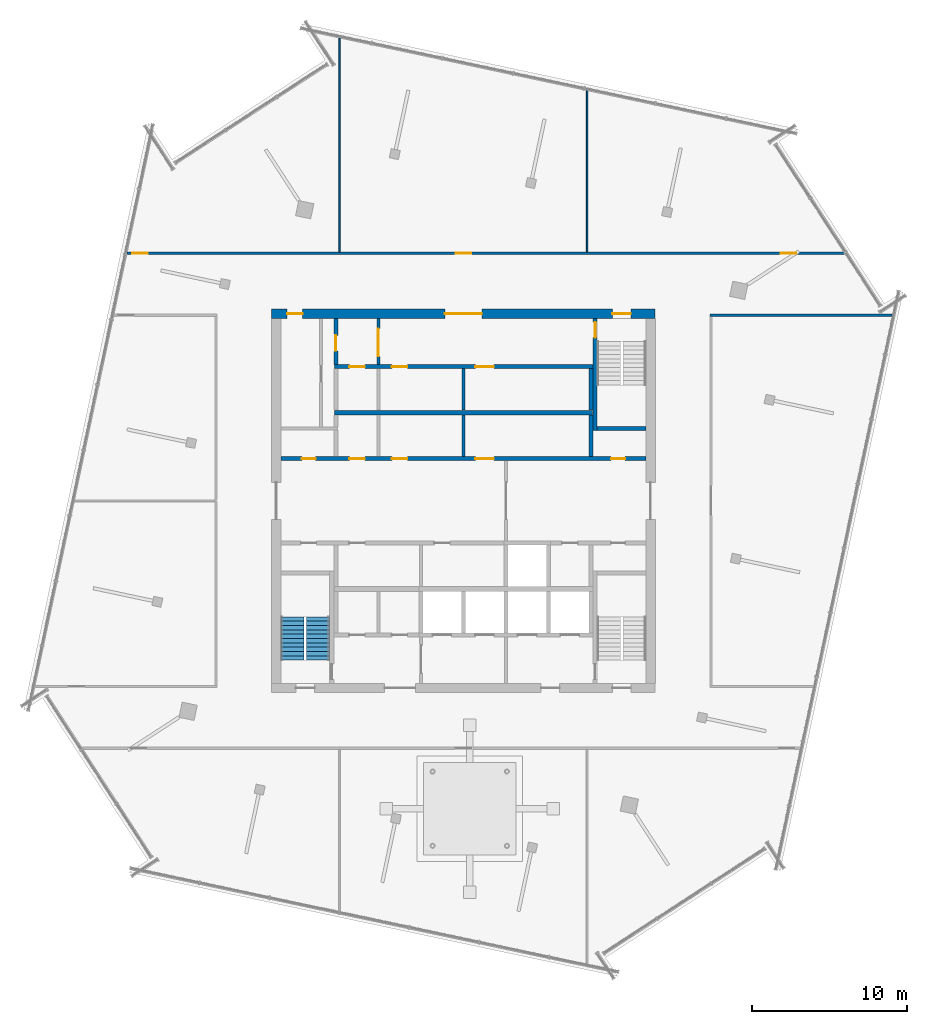
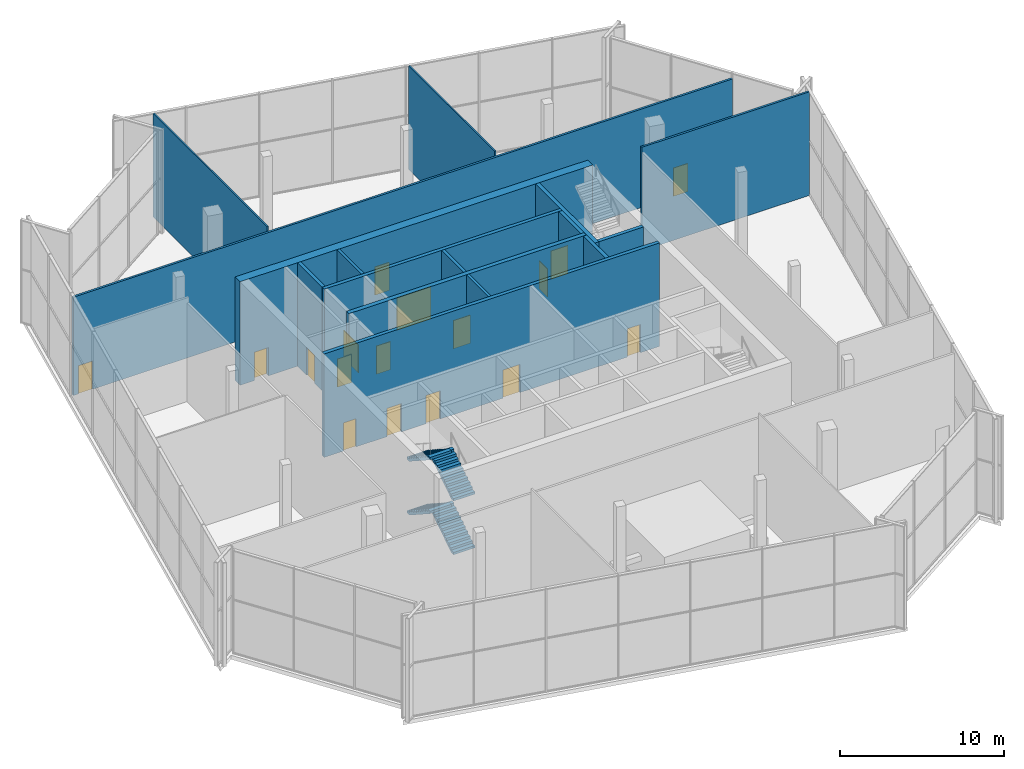
# One storey, part 11 of 14: 17 doors, 16 walls, 4 stair flights, 17 openings, 1 element without a shape of its own.
"""IFC4 building model written with IfcOpenShell, lengths in metres."""

from ifc_helpers import new_model, si_unit, direction, frame, frame_2d, origin, place, context, subcontext, project, spatial, polyline, rectangle, outline, extrude, material, layer, layer_set, type_object, element, fill, aggregate, save


model = new_model("IFC4")

# Units and contexts
model_context = context("Model", 3, precision=1e-05, world=origin(), true_north=direction((0.0, 1.0)))
body_context = subcontext(model_context, "Body", "Model", "MODEL_VIEW")
ifc_project = project(units=[si_unit("LENGTHUNIT", "METRE"), si_unit("AREAUNIT", "SQUARE_METRE"), si_unit("VOLUMEUNIT", "CUBIC_METRE"), si_unit("PLANEANGLEUNIT", "RADIAN"), si_unit("MASSUNIT", "GRAM", prefix="KILO")], contexts=[model_context])

# Site, building, storey
site_placement = place(None, origin())
site = spatial("IfcSite", under=ifc_project, at=site_placement, CompositionType="ELEMENT")
building_placement = place(site_placement, origin())
building = spatial("IfcBuilding", under=site, at=building_placement, Name="Dilmun Exchange Tower", CompositionType="ELEMENT")
storey_placement = place(building_placement, frame((0.0, 0.0, 350.10009765625)))
storey = spatial("IfcBuildingStorey", under=building, at=storey_placement, Name="Crown L83", CompositionType="ELEMENT", Elevation=350.10009765625)

# Walls
ifc_material_1 = material(Name="Concrete C40/50", Category="concrete")
ifc_layer_1 = layer(ifc_material_1, 0.199951171875)
ifc_layer_set_1 = layer_set([ifc_layer_1], Name="Concrete C40/50")
wall_type_1 = type_object("IfcWallType", Name="Core partition wall 200", PredefinedType="PARTITIONING", material=ifc_layer_set_1)
for number, where, z_axis, x_axis, name in (
    (1, (0.0, 2.85498046875, 0.0), (0.0, 0.0, 1.0), (0.0, 1.0, 0.0), "Crown L83 core partition wall 16"),
    (2, (0.0, 5.85498046875, 0.0), (0.0, 0.0, 1.0), (0.0, 1.0, 0.0), "Crown L83 core partition wall 24"),
):
    element("IfcWall", number, at=place(storey_placement, frame(where, z_axis=z_axis, x_axis=x_axis)), inside=storey, type_object=wall_type_1, Name=name, PredefinedType="PARTITIONING", context=body_context, shape_type="SweptSolid", body=[
        extrude(rectangle(XDim=2.68994140625, YDim=0.199951171875, at=frame_2d((1.344970703125, 0.0))), origin(), (0.0, 0.0, 1.0), 7.699951171875),
    ])

# Wall, opening, door
wall_1_placement = place(storey_placement, frame((-5.5, 8.804931640625, 0.0), z_axis=(0.0, 0.0, 1.0), x_axis=(0.0, 1.0, 0.0)))
wall_1 = element("IfcWall", 3, at=wall_1_placement, inside=storey, type_object=wall_type_1, Name="Crown L83 core partition wall 28", PredefinedType="PARTITIONING", context=body_context, shape_type="SweptSolid", body=[
    extrude(rectangle(XDim=2.989990234375, YDim=0.199951171875, at=frame_2d((1.4951171875, 0.0))), origin(), (0.0, 0.0, 1.0), 7.699951171875),
])
opening_1_placement = place(wall_1_placement, frame((0.532470703125, 0.0, 0.0)))
opening_1 = element("IfcOpeningElement", 4, at=opening_1_placement, cuts=wall_1, Name="Opening CD5", PredefinedType="OPENING", context=body_context, shape_type="SweptSolid", body=[
    extrude(rectangle(XDim=1.800048828125, YDim=2.10009765625, at=frame_2d((0.89990234375, 1.050048828125))), frame((0.0, 0.10986328125, 0.0), z_axis=(0.0, -1.0, 0.0), x_axis=(1.0, 0.0, 0.0)), (0.0, 0.0, 1.0), 0.219970703125),
])
ifc_material_2 = material(Name="Fire-rated steel door set", Category="steel")
door_type_1 = type_object("IfcDoorType", Name="Stair exit door 1800x2100", OperationType="SINGLE_SWING_LEFT", PredefinedType="DOOR", material=ifc_material_2)
door_1_placement = place(opening_1_placement, origin())
door_1 = element("IfcDoor", 5, at=door_1_placement, inside=storey, type_object=door_type_1, Name="Crown L83 door Core corridor east", OperationType="SINGLE_SWING_LEFT", OverallHeight=2.10009765625, OverallWidth=1.800048828125, PredefinedType="DOOR", context=body_context, shape_type="SweptSolid", body=[
    extrude(rectangle(XDim=1.800048828125, YDim=2.10009765625, at=frame_2d((0.89990234375, 1.050048828125))), frame((0.0, 0.02490234375, 0.0), z_axis=(0.0, -1.0, 0.0), x_axis=(1.0, 0.0, 0.0)), (0.0, 0.0, 1.0), 0.050048828125),
])
fill(opening_1, door_1)

# Wall, openings, doors
ifc_layer_2 = layer(ifc_material_1, 0.25)
ifc_layer_set_2 = layer_set([ifc_layer_2], Name="Concrete C40/50")
wall_type_2 = type_object("IfcWallType", Name="Core partition wall 250", PredefinedType="PARTITIONING", material=ifc_layer_set_2)
wall_2_placement = place(storey_placement, frame((-11.794921875, 2.72509765625, 0.0), z_axis=(0.0, 0.0, 1.0), x_axis=(1.0, 0.0, 0.0)))
wall_2 = element("IfcWall", 6, at=wall_2_placement, inside=storey, type_object=wall_type_2, Name="Crown L83 core partition wall 13", PredefinedType="PARTITIONING", context=body_context, shape_type="SweptSolid", body=[
    extrude(rectangle(XDim=23.58984375, YDim=0.25, at=frame_2d((11.794921875, 0.0))), origin(), (0.0, 0.0, 1.0), 7.699951171875),
])
opening_2_placement = place(wall_2_placement, frame((21.344970703125, 0.0, 0.0)))
opening_2 = element("IfcOpeningElement", 7, at=opening_2_placement, cuts=wall_2, Name="Opening CD6", PredefinedType="OPENING", context=body_context, shape_type="SweptSolid", body=[
    extrude(rectangle(XDim=0.89990234375, YDim=2.10009765625, at=frame_2d((0.449951171875, 1.050048828125))), frame((0.0, 0.135009765625, 0.0), z_axis=(0.0, -1.0, 0.0), x_axis=(1.0, 0.0, 0.0)), (0.0, 0.0, 1.0), 0.27001953125),
])
opening_3_placement = place(wall_2_placement, frame((1.344970703125, 0.0, 0.0)))
opening_3 = element("IfcOpeningElement", 8, at=opening_3_placement, cuts=wall_2, Name="Opening CD6", PredefinedType="OPENING", context=body_context, shape_type="SweptSolid", body=[
    extrude(rectangle(XDim=0.89990234375, YDim=2.10009765625, at=frame_2d((0.449951171875, 1.050048828125))), frame((0.0, 0.135009765625, 0.0), z_axis=(0.0, -1.0, 0.0), x_axis=(1.0, 0.0, 0.0)), (0.0, 0.0, 1.0), 0.27001953125),
])
opening_4_placement = place(wall_2_placement, frame((4.419921875, 0.0, 0.0)))
opening_4 = element("IfcOpeningElement", 9, at=opening_4_placement, cuts=wall_2, Name="Opening CD4", PredefinedType="OPENING", context=body_context, shape_type="SweptSolid", body=[
    extrude(rectangle(XDim=1.0, YDim=2.10009765625, at=frame_2d((0.5, 1.050048828125))), frame((0.0, 0.135009765625, 0.0), z_axis=(0.0, -1.0, 0.0), x_axis=(1.0, 0.0, 0.0)), (0.0, 0.0, 1.0), 0.27001953125),
])
opening_5_placement = place(wall_2_placement, frame((7.169921875, 0.0, 0.0)))
opening_5 = element("IfcOpeningElement", 10, at=opening_5_placement, cuts=wall_2, Name="Opening CD4", PredefinedType="OPENING", context=body_context, shape_type="SweptSolid", body=[
    extrude(rectangle(XDim=1.0, YDim=2.10009765625, at=frame_2d((0.5, 1.050048828125))), frame((0.0, 0.135009765625, 0.0), z_axis=(0.0, -1.0, 0.0), x_axis=(1.0, 0.0, 0.0)), (0.0, 0.0, 1.0), 0.27001953125),
])
opening_6_placement = place(wall_2_placement, frame((12.570068359375, 0.0, 0.0)))
opening_6 = element("IfcOpeningElement", 11, at=opening_6_placement, cuts=wall_2, Name="Opening CD3", PredefinedType="OPENING", context=body_context, shape_type="SweptSolid", body=[
    extrude(rectangle(XDim=1.199951171875, YDim=2.10009765625, at=frame_2d((0.60009765625, 1.050048828125))), frame((0.0, 0.135009765625, 0.0), z_axis=(0.0, -1.0, 0.0), x_axis=(1.0, 0.0, 0.0)), (0.0, 0.0, 1.0), 0.27001953125),
])
door_type_2 = type_object("IfcDoorType", Name="Core room door 1000x2100", OperationType="SINGLE_SWING_LEFT", PredefinedType="DOOR", material=ifc_material_2)
door_2_placement = place(opening_4_placement, origin())
door_2 = element("IfcDoor", 12, at=door_2_placement, inside=storey, type_object=door_type_2, Name="Crown L83 door Comms room", OperationType="SINGLE_SWING_RIGHT", OverallHeight=2.10009765625, OverallWidth=1.0, PredefinedType="DOOR", context=body_context, shape_type="SweptSolid", body=[
    extrude(rectangle(XDim=1.0, YDim=2.10009765625, at=frame_2d((0.5, 1.050048828125))), frame((0.0, 0.02490234375, 0.0), z_axis=(0.0, -1.0, 0.0), x_axis=(1.0, 0.0, 0.0)), (0.0, 0.0, 1.0), 0.050048828125),
])
fill(opening_4, door_2)
door_3_placement = place(opening_5_placement, origin())
door_3 = element("IfcDoor", 13, at=door_3_placement, inside=storey, type_object=door_type_2, Name="Crown L83 door Tenant services room", OperationType="SINGLE_SWING_RIGHT", OverallHeight=2.10009765625, OverallWidth=1.0, PredefinedType="DOOR", context=body_context, shape_type="SweptSolid", body=[
    extrude(rectangle(XDim=1.0, YDim=2.10009765625, at=frame_2d((0.5, 1.050048828125))), frame((0.0, 0.02490234375, 0.0), z_axis=(0.0, -1.0, 0.0), x_axis=(1.0, 0.0, 0.0)), (0.0, 0.0, 1.0), 0.050048828125),
])
fill(opening_5, door_3)
door_type_3 = type_object("IfcDoorType", Name="Core room door 900x2100", OperationType="SINGLE_SWING_LEFT", PredefinedType="DOOR", material=ifc_material_2)
door_4_placement = place(opening_2_placement, origin())
door_4 = element("IfcDoor", 14, at=door_4_placement, inside=storey, type_object=door_type_3, Name="Crown L83 door Electrical riser", OperationType="SINGLE_SWING_RIGHT", OverallHeight=2.10009765625, OverallWidth=0.89990234375, PredefinedType="DOOR", context=body_context, shape_type="SweptSolid", body=[
    extrude(rectangle(XDim=0.89990234375, YDim=2.10009765625, at=frame_2d((0.449951171875, 1.050048828125))), frame((0.0, 0.02490234375, 0.0), z_axis=(0.0, -1.0, 0.0), x_axis=(1.0, 0.0, 0.0)), (0.0, 0.0, 1.0), 0.050048828125),
])
fill(opening_2, door_4)
door_5_placement = place(opening_3_placement, origin())
door_5 = element("IfcDoor", 15, at=door_5_placement, inside=storey, type_object=door_type_3, Name="Crown L83 door Plumbing riser", OperationType="SINGLE_SWING_RIGHT", OverallHeight=2.10009765625, OverallWidth=0.89990234375, PredefinedType="DOOR", context=body_context, shape_type="SweptSolid", body=[
    extrude(rectangle(XDim=0.89990234375, YDim=2.10009765625, at=frame_2d((0.449951171875, 1.050048828125))), frame((0.0, 0.02490234375, 0.0), z_axis=(0.0, -1.0, 0.0), x_axis=(1.0, 0.0, 0.0)), (0.0, 0.0, 1.0), 0.050048828125),
])
fill(opening_3, door_5)
door_type_4 = type_object("IfcDoorType", Name="Stair exit door 1200x2100", OperationType="SINGLE_SWING_LEFT", PredefinedType="DOOR", material=ifc_material_2)
door_6_placement = place(opening_6_placement, origin())
door_6 = element("IfcDoor", 16, at=door_6_placement, inside=storey, type_object=door_type_4, Name="Crown L83 door Tenant amenity store", OperationType="SINGLE_SWING_LEFT", OverallHeight=2.10009765625, OverallWidth=1.199951171875, PredefinedType="DOOR", context=body_context, shape_type="SweptSolid", body=[
    extrude(rectangle(XDim=1.199951171875, YDim=2.10009765625, at=frame_2d((0.60009765625, 1.050048828125))), frame((0.0, 0.02490234375, 0.0), z_axis=(0.0, -1.0, 0.0), x_axis=(1.0, 0.0, 0.0)), (0.0, 0.0, 1.0), 0.050048828125),
])
fill(opening_6, door_6)

# Walls
for number, where, z_axis, x_axis, name in (
    (17, (8.25, 2.85498046875, 0.0), (0.0, 0.0, 1.0), (0.0, 1.0, 0.0), "Crown L83 core partition wall 17"),
    (18, (8.25, 5.85498046875, 0.0), (0.0, 0.0, 1.0), (0.0, 1.0, 0.0), "Crown L83 core partition wall 25"),
):
    element("IfcWall", number, at=place(storey_placement, frame(where, z_axis=z_axis, x_axis=x_axis)), inside=storey, type_object=wall_type_2, Name=name, PredefinedType="PARTITIONING", context=body_context, shape_type="SweptSolid", body=[
        extrude(rectangle(XDim=2.68994140625, YDim=0.25, at=frame_2d((1.344970703125, 0.0))), origin(), (0.0, 0.0, 1.0), 7.699951171875),
    ])

# Wall, openings, doors
wall_3_placement = place(storey_placement, frame((-8.35009765625, 8.675048828125, 0.0), z_axis=(0.0, 0.0, 1.0), x_axis=(1.0, 0.0, 0.0)))
wall_3 = element("IfcWall", 19, at=wall_3_placement, inside=storey, type_object=wall_type_2, Name="Crown L83 core partition wall 26", PredefinedType="PARTITIONING", context=body_context, shape_type="SweptSolid", body=[
    extrude(rectangle(XDim=16.72021484375, YDim=0.25, at=frame_2d((8.360107421875, 0.0))), origin(), (0.0, 0.0, 1.0), 7.699951171875),
])
opening_7_placement = place(wall_3_placement, frame((0.97509765625, 0.0, 0.0)))
opening_7 = element("IfcOpeningElement", 20, at=opening_7_placement, cuts=wall_3, Name="Opening CD4", PredefinedType="OPENING", context=body_context, shape_type="SweptSolid", body=[
    extrude(rectangle(XDim=1.0, YDim=2.10009765625, at=frame_2d((0.5, 1.050048828125))), frame((0.0, 0.135009765625, 0.0), z_axis=(0.0, -1.0, 0.0), x_axis=(1.0, 0.0, 0.0)), (0.0, 0.0, 1.0), 0.27001953125),
])
opening_8_placement = place(wall_3_placement, frame((3.72509765625, 0.0, 0.0)))
opening_8 = element("IfcOpeningElement", 21, at=opening_8_placement, cuts=wall_3, Name="Opening CD4", PredefinedType="OPENING", context=body_context, shape_type="SweptSolid", body=[
    extrude(rectangle(XDim=1.0, YDim=2.10009765625, at=frame_2d((0.5, 1.050048828125))), frame((0.0, 0.135009765625, 0.0), z_axis=(0.0, -1.0, 0.0), x_axis=(1.0, 0.0, 0.0)), (0.0, 0.0, 1.0), 0.27001953125),
])
opening_9_placement = place(wall_3_placement, frame((9.125, 0.0, 0.0)))
opening_9 = element("IfcOpeningElement", 22, at=opening_9_placement, cuts=wall_3, Name="Opening CD3", PredefinedType="OPENING", context=body_context, shape_type="SweptSolid", body=[
    extrude(rectangle(XDim=1.199951171875, YDim=2.10009765625, at=frame_2d((0.60009765625, 1.050048828125))), frame((0.0, 0.135009765625, 0.0), z_axis=(0.0, -1.0, 0.0), x_axis=(1.0, 0.0, 0.0)), (0.0, 0.0, 1.0), 0.27001953125),
])
door_7_placement = place(opening_7_placement, origin())
door_7 = element("IfcDoor", 23, at=door_7_placement, inside=storey, type_object=door_type_2, Name="Crown L83 door Tenant store", OperationType="SINGLE_SWING_RIGHT", OverallHeight=2.10009765625, OverallWidth=1.0, PredefinedType="DOOR", context=body_context, shape_type="SweptSolid", body=[
    extrude(rectangle(XDim=1.0, YDim=2.10009765625, at=frame_2d((0.5, 1.050048828125))), frame((0.0, 0.02490234375, 0.0), z_axis=(0.0, -1.0, 0.0), x_axis=(1.0, 0.0, 0.0)), (0.0, 0.0, 1.0), 0.050048828125),
])
fill(opening_7, door_7)
door_8_placement = place(opening_8_placement, origin())
door_8 = element("IfcDoor", 24, at=door_8_placement, inside=storey, type_object=door_type_2, Name="Crown L83 door Archive store", OperationType="SINGLE_SWING_RIGHT", OverallHeight=2.10009765625, OverallWidth=1.0, PredefinedType="DOOR", context=body_context, shape_type="SweptSolid", body=[
    extrude(rectangle(XDim=1.0, YDim=2.10009765625, at=frame_2d((0.5, 1.050048828125))), frame((0.0, 0.02490234375, 0.0), z_axis=(0.0, -1.0, 0.0), x_axis=(1.0, 0.0, 0.0)), (0.0, 0.0, 1.0), 0.050048828125),
])
fill(opening_8, door_8)
door_9_placement = place(opening_9_placement, origin())
door_9 = element("IfcDoor", 25, at=door_9_placement, inside=storey, type_object=door_type_4, Name="Crown L83 door Facilities workshop", OperationType="SINGLE_SWING_LEFT", OverallHeight=2.10009765625, OverallWidth=1.199951171875, PredefinedType="DOOR", context=body_context, shape_type="SweptSolid", body=[
    extrude(rectangle(XDim=1.199951171875, YDim=2.10009765625, at=frame_2d((0.60009765625, 1.050048828125))), frame((0.0, 0.02490234375, 0.0), z_axis=(0.0, -1.0, 0.0), x_axis=(1.0, 0.0, 0.0)), (0.0, 0.0, 1.0), 0.050048828125),
])
fill(opening_9, door_9)

# Wall, opening, door
wall_4_placement = place(storey_placement, frame((-8.25, 8.804931640625, 0.0), z_axis=(0.0, 0.0, 1.0), x_axis=(0.0, 1.0, 0.0)))
wall_4 = element("IfcWall", 26, at=wall_4_placement, inside=storey, type_object=wall_type_2, Name="Crown L83 core partition wall 27", PredefinedType="PARTITIONING", context=body_context, shape_type="SweptSolid", body=[
    extrude(rectangle(XDim=2.989990234375, YDim=0.25, at=frame_2d((1.4951171875, 0.0))), origin(), (0.0, 0.0, 1.0), 7.699951171875),
])
opening_10_placement = place(wall_4_placement, frame((0.89501953125, 0.0, 0.0)))
opening_10 = element("IfcOpeningElement", 27, at=opening_10_placement, cuts=wall_4, Name="Opening CD4", PredefinedType="OPENING", context=body_context, shape_type="SweptSolid", body=[
    extrude(rectangle(XDim=1.0, YDim=2.10009765625, at=frame_2d((0.5, 1.050048828125))), frame((0.0, 0.135009765625, 0.0), z_axis=(0.0, -1.0, 0.0), x_axis=(1.0, 0.0, 0.0)), (0.0, 0.0, 1.0), 0.27001953125),
])
door_10_placement = place(opening_10_placement, origin())
door_10 = element("IfcDoor", 28, at=door_10_placement, inside=storey, type_object=door_type_2, Name="Crown L83 door Tenant services room", OperationType="SINGLE_SWING_RIGHT", OverallHeight=2.10009765625, OverallWidth=1.0, PredefinedType="DOOR", context=body_context, shape_type="SweptSolid", body=[
    extrude(rectangle(XDim=1.0, YDim=2.10009765625, at=frame_2d((0.5, 1.050048828125))), frame((0.0, 0.02490234375, 0.0), z_axis=(0.0, -1.0, 0.0), x_axis=(1.0, 0.0, 0.0)), (0.0, 0.0, 1.0), 0.050048828125),
])
fill(opening_10, door_10)

# Wall
ifc_layer_3 = layer(ifc_material_1, 0.300048828125)
ifc_layer_set_3 = layer_set([ifc_layer_3], Name="Concrete C40/50")
wall_type_3 = type_object("IfcWallType", Name="Core partition wall 300", PredefinedType="PARTITIONING", material=ifc_layer_set_3)
wall_5_placement = place(storey_placement, frame((-8.35009765625, 5.699951171875, 0.0), z_axis=(0.0, 0.0, 1.0), x_axis=(1.0, 0.0, 0.0)))
element("IfcWall", 29, at=wall_5_placement, inside=storey, type_object=wall_type_3, Name="Crown L83 core partition wall 21", PredefinedType="PARTITIONING", context=body_context, shape_type="SweptSolid", body=[
    extrude(rectangle(XDim=16.7001953125, YDim=0.300048828125, at=frame_2d((8.35009765625, 0.0))), origin(), (0.0, 0.0, 1.0), 7.699951171875),
])

# Wall, openings, doors
ifc_material_3 = material(Name="Concrete C50/60", Category="concrete")
ifc_layer_4 = layer(ifc_material_3, 0.60009765625)
ifc_layer_set_4 = layer_set([ifc_layer_4], Name="Concrete C50/60")
wall_type_4 = type_object("IfcWallType", Name="Core shear wall 600 Concrete C50/60", PredefinedType="SHEAR", material=ifc_layer_set_4)
wall_6_placement = place(storey_placement, frame((-12.39990234375, 12.10009765625, 0.0), z_axis=(0.0, 0.0, 1.0), x_axis=(1.0, 0.0, 0.0)))
wall_6 = element("IfcWall", 30, at=wall_6_placement, inside=storey, type_object=wall_type_4, Name="Crown L83 core shear wall N", PredefinedType="SHEAR", context=body_context, shape_type="SweptSolid", body=[
    extrude(rectangle(XDim=24.7998046875, YDim=0.60009765625, at=frame_2d((12.39990234375, 0.0))), origin(), (0.0, 0.0, 1.0), 7.699951171875),
])
opening_11_placement = place(wall_6_placement, frame((11.199951171875, 0.0, 0.0)))
opening_11 = element("IfcOpeningElement", 31, at=opening_11_placement, cuts=wall_6, Name="Opening CD1", PredefinedType="OPENING", context=body_context, shape_type="SweptSolid", body=[
    extrude(rectangle(XDim=2.39990234375, YDim=2.39990234375, at=frame_2d((1.199951171875, 1.199951171875))), frame((0.0, 0.31005859375, 0.0), z_axis=(0.0, -1.0, 0.0), x_axis=(1.0, 0.0, 0.0)), (0.0, 0.0, 1.0), 0.6201171875),
])
opening_12_placement = place(wall_6_placement, frame((22.02490234375, 0.0, 0.0)))
opening_12 = element("IfcOpeningElement", 32, at=opening_12_placement, cuts=wall_6, Name="Opening CD3", PredefinedType="OPENING", context=body_context, shape_type="SweptSolid", body=[
    extrude(rectangle(XDim=1.199951171875, YDim=2.10009765625, at=frame_2d((0.60009765625, 1.050048828125))), frame((0.0, 0.31005859375, 0.0), z_axis=(0.0, -1.0, 0.0), x_axis=(1.0, 0.0, 0.0)), (0.0, 0.0, 1.0), 0.6201171875),
])
opening_13_placement = place(wall_6_placement, frame((1.0, 0.0, 0.0)))
opening_13 = element("IfcOpeningElement", 33, at=opening_13_placement, cuts=wall_6, Name="Opening CD4", PredefinedType="OPENING", context=body_context, shape_type="SweptSolid", body=[
    extrude(rectangle(XDim=1.0, YDim=2.10009765625, at=frame_2d((0.5, 1.050048828125))), frame((0.0, 0.31005859375, 0.0), z_axis=(0.0, -1.0, 0.0), x_axis=(1.0, 0.0, 0.0)), (0.0, 0.0, 1.0), 0.6201171875),
])
door_type_5 = type_object("IfcDoorType", Name="Core lobby door 2400x2400", OperationType="DOUBLE_DOOR_DOUBLE_SWING", PredefinedType="DOOR", material=ifc_material_2)
door_11_placement = place(opening_11_placement, origin())
door_11 = element("IfcDoor", 34, at=door_11_placement, inside=storey, type_object=door_type_5, Name="Crown L83 door North lift lobby", OperationType="SINGLE_SWING_LEFT", OverallHeight=2.39990234375, OverallWidth=2.39990234375, PredefinedType="DOOR", context=body_context, shape_type="SweptSolid", body=[
    extrude(rectangle(XDim=2.39990234375, YDim=2.39990234375, at=frame_2d((1.199951171875, 1.199951171875))), frame((0.0, 0.02490234375, 0.0), z_axis=(0.0, -1.0, 0.0), x_axis=(1.0, 0.0, 0.0)), (0.0, 0.0, 1.0), 0.050048828125),
])
fill(opening_11, door_11)
door_12_placement = place(opening_13_placement, origin())
door_12 = element("IfcDoor", 35, at=door_12_placement, inside=storey, type_object=door_type_2, Name="Crown L83 door North-west core rooms", OperationType="SINGLE_SWING_LEFT", OverallHeight=2.10009765625, OverallWidth=1.0, PredefinedType="DOOR", context=body_context, shape_type="SweptSolid", body=[
    extrude(rectangle(XDim=1.0, YDim=2.10009765625, at=frame_2d((0.5, 1.050048828125))), frame((0.0, 0.02490234375, 0.0), z_axis=(0.0, -1.0, 0.0), x_axis=(1.0, 0.0, 0.0)), (0.0, 0.0, 1.0), 0.050048828125),
])
fill(opening_13, door_12)
door_13_placement = place(opening_12_placement, origin())
door_13 = element("IfcDoor", 36, at=door_13_placement, inside=storey, type_object=door_type_4, Name="Crown L83 door Stair ST1", OperationType="SINGLE_SWING_LEFT", OverallHeight=2.10009765625, OverallWidth=1.199951171875, PredefinedType="DOOR", context=body_context, shape_type="SweptSolid", body=[
    extrude(rectangle(XDim=1.199951171875, YDim=2.10009765625, at=frame_2d((0.60009765625, 1.050048828125))), frame((0.0, 0.02490234375, 0.0), z_axis=(0.0, -1.0, 0.0), x_axis=(1.0, 0.0, 0.0)), (0.0, 0.0, 1.0), 0.050048828125),
])
fill(opening_12, door_13)

# Wall
ifc_material_4 = material(Name="Fire partition EI 60 150 gypsum")
ifc_layer_5 = layer(ifc_material_4, 0.14990234375)
ifc_layer_set_5 = layer_set([ifc_layer_5], Name="Fire partition EI 60 150 gypsum")
wall_type_5 = type_object("IfcWallType", Name="Fire partition EI 60 150 gypsum", PredefinedType="PARTITIONING", material=ifc_layer_set_5)
wall_7_placement = place(storey_placement, frame((15.925048828125, 12.0, 0.0), z_axis=(0.0, 0.0, 1.0), x_axis=(1.0, 0.0, 0.0)))
element("IfcWall", 37, at=wall_7_placement, inside=storey, type_object=wall_type_5, Name="Crown L83 partition", PredefinedType="PARTITIONING", context=body_context, shape_type="SweptSolid", body=[
    extrude(rectangle(XDim=11.775146484375, YDim=0.14990234375, at=frame_2d((5.8876953125, 0.0))), origin(), (0.0, 0.0, 1.0), 7.699951171875),
])

# Wall, openings, doors
wall_8_placement = place(storey_placement, frame((-21.748779296875, 16.0, 0.0), z_axis=(0.0, 0.0, 1.0), x_axis=(1.0, 0.0, 0.0)))
wall_8 = element("IfcWall", 38, at=wall_8_placement, inside=storey, type_object=wall_type_5, Name="Crown L83 partition", PredefinedType="PARTITIONING", context=body_context, shape_type="SweptSolid", body=[
    extrude(rectangle(XDim=46.37744140625, YDim=0.14990234375, at=frame_2d((23.188720703125, 0.0))), origin(), (0.0, 0.0, 1.0), 7.31982421875),
])
opening_14_placement = place(wall_8_placement, frame((0.3486328125, 0.0, 0.0)))
opening_14 = element("IfcOpeningElement", 39, at=opening_14_placement, cuts=wall_8, Name="Opening CrownL83-D002", PredefinedType="OPENING", context=body_context, shape_type="SweptSolid", body=[
    extrude(rectangle(XDim=1.0, YDim=2.10009765625, at=frame_2d((0.5, 1.050048828125))), frame((0.0, 0.0849609375, 0.0), z_axis=(0.0, -1.0, 0.0), x_axis=(1.0, 0.0, 0.0)), (0.0, 0.0, 1.0), 0.169921875),
])
opening_15_placement = place(wall_8_placement, frame((21.248779296875, 0.0, 0.0)))
opening_15 = element("IfcOpeningElement", 40, at=opening_15_placement, cuts=wall_8, Name="Opening CrownL83-D003", PredefinedType="OPENING", context=body_context, shape_type="SweptSolid", body=[
    extrude(rectangle(XDim=1.0, YDim=2.10009765625, at=frame_2d((0.5, 1.050048828125))), frame((0.0, 0.0849609375, 0.0), z_axis=(0.0, -1.0, 0.0), x_axis=(1.0, 0.0, 0.0)), (0.0, 0.0, 1.0), 0.169921875),
])
opening_16_placement = place(wall_8_placement, frame((42.248779296875, 0.0, 0.0)))
opening_16 = element("IfcOpeningElement", 41, at=opening_16_placement, cuts=wall_8, Name="Opening CrownL83-D004", PredefinedType="OPENING", context=body_context, shape_type="SweptSolid", body=[
    extrude(rectangle(XDim=1.0, YDim=2.10009765625, at=frame_2d((0.5, 1.050048828125))), frame((0.0, 0.0849609375, 0.0), z_axis=(0.0, -1.0, 0.0), x_axis=(1.0, 0.0, 0.0)), (0.0, 0.0, 1.0), 0.169921875),
])
ifc_material_5 = material(Name="Fire door FD60 1000 x 2100")
door_type_6 = type_object("IfcDoorType", Name="Fire door FD60 1000 x 2100", OperationType="SINGLE_SWING_LEFT", PredefinedType="DOOR", material=ifc_material_5)
door_14_placement = place(opening_14_placement, origin())
door_14 = element("IfcDoor", 42, at=door_14_placement, inside=storey, type_object=door_type_6, Name="Crown L83 door CrownL83-D002", OperationType="SINGLE_SWING_RIGHT", OverallHeight=2.10009765625, OverallWidth=1.0, PredefinedType="DOOR", context=body_context, shape_type="SweptSolid", body=[
    extrude(rectangle(XDim=1.0, YDim=2.10009765625, at=frame_2d((0.5, 1.050048828125))), frame((0.0, 0.02490234375, 0.0), z_axis=(0.0, -1.0, 0.0), x_axis=(1.0, 0.0, 0.0)), (0.0, 0.0, 1.0), 0.050048828125),
])
fill(opening_14, door_14)
door_15_placement = place(opening_15_placement, origin())
door_15 = element("IfcDoor", 43, at=door_15_placement, inside=storey, type_object=door_type_6, Name="Crown L83 door CrownL83-D003", OperationType="SINGLE_SWING_LEFT", OverallHeight=2.10009765625, OverallWidth=1.0, PredefinedType="DOOR", context=body_context, shape_type="SweptSolid", body=[
    extrude(rectangle(XDim=1.0, YDim=2.10009765625, at=frame_2d((0.5, 1.050048828125))), frame((0.0, 0.02490234375, 0.0), z_axis=(0.0, -1.0, 0.0), x_axis=(1.0, 0.0, 0.0)), (0.0, 0.0, 1.0), 0.050048828125),
])
fill(opening_15, door_15)
door_16_placement = place(opening_16_placement, origin())
door_16 = element("IfcDoor", 44, at=door_16_placement, inside=storey, type_object=door_type_6, Name="Crown L83 door CrownL83-D004", OperationType="SINGLE_SWING_RIGHT", OverallHeight=2.10009765625, OverallWidth=1.0, PredefinedType="DOOR", context=body_context, shape_type="SweptSolid", body=[
    extrude(rectangle(XDim=1.0, YDim=2.10009765625, at=frame_2d((0.5, 1.050048828125))), frame((0.0, 0.02490234375, 0.0), z_axis=(0.0, -1.0, 0.0), x_axis=(1.0, 0.0, 0.0)), (0.0, 0.0, 1.0), 0.050048828125),
])
fill(opening_16, door_16)

# Walls
ifc_material_6 = material(Name="Partition 100 gypsum")
ifc_layer_6 = layer(ifc_material_6, 0.10009765625)
ifc_layer_set_6 = layer_set([ifc_layer_6], Name="Partition 100 gypsum")
wall_type_6 = type_object("IfcWallType", Name="Partition 100 gypsum", PredefinedType="PARTITIONING", material=ifc_layer_set_6)
wall_9_placement = place(storey_placement, frame((-8.0, 16.074951171875, 0.0), z_axis=(0.0, 0.0, 1.0), x_axis=(0.0, 1.0, 0.0)))
element("IfcWall", 45, at=wall_9_placement, inside=storey, type_object=wall_type_6, Name="Crown L83 partition", PredefinedType="PARTITIONING", context=body_context, shape_type="SweptSolid", body=[
    extrude(rectangle(XDim=13.842041015625, YDim=0.10009765625, at=frame_2d((6.9208984375, 0.0))), origin(), (0.0, 0.0, 1.0), 7.699951171875),
])
wall_10_placement = place(storey_placement, frame((8.0, 16.074951171875, 0.0), z_axis=(0.0, 0.0, 1.0), x_axis=(0.0, 1.0, 0.0)))
element("IfcWall", 46, at=wall_10_placement, inside=storey, type_object=wall_type_6, Name="Crown L83 partition", PredefinedType="PARTITIONING", context=body_context, shape_type="SweptSolid", body=[
    extrude(rectangle(XDim=10.441162109375, YDim=0.10009765625, at=frame_2d((5.220703125, 0.0))), origin(), (0.0, 0.0, 1.0), 7.699951171875),
])
ifc_layer_7 = layer(ifc_material_1, 0.25)
ifc_layer_set_7 = layer_set([ifc_layer_7], Name="Concrete C40/50")
wall_type_7 = type_object("IfcWallType", Name="Stair end wall 250", PredefinedType="SOLIDWALL", material=ifc_layer_set_7)
wall_11_placement = place(storey_placement, frame((8.64990234375, 4.675048828125, 0.0), z_axis=(0.0, 0.0, 1.0), x_axis=(1.0, 0.0, 0.0)))
element("IfcWall", 47, at=wall_11_placement, inside=storey, type_object=wall_type_7, Name="Crown L83 ST1 far wall", PredefinedType="SOLIDWALL", context=body_context, shape_type="SweptSolid", body=[
    extrude(rectangle(XDim=3.150146484375, YDim=0.25, at=frame_2d((1.5751953125, 0.0))), origin(), (0.0, 0.0, 1.0), 7.699951171875),
])

# Wall, opening, door
ifc_layer_8 = layer(ifc_material_1, 0.27490234375)
ifc_layer_set_8 = layer_set([ifc_layer_8], Name="Concrete C40/50")
wall_type_8 = type_object("IfcWallType", Name="Stair wall 275", PredefinedType="SOLIDWALL", material=ifc_layer_set_8)
wall_12_placement = place(storey_placement, frame((8.512451171875, 4.550048828125, 0.0), z_axis=(0.0, 0.0, 1.0), x_axis=(0.0, 1.0, 0.0)))
wall_12 = element("IfcWall", 48, at=wall_12_placement, inside=storey, type_object=wall_type_8, Name="Crown L83 ST1 wall to lift block", PredefinedType="SOLIDWALL", context=body_context, shape_type="SweptSolid", body=[
    extrude(rectangle(XDim=7.25, YDim=0.27490234375, at=frame_2d((3.625, 0.0))), origin(), (0.0, 0.0, 1.0), 7.699951171875),
])
opening_17_placement = place(wall_12_placement, frame((6.0, 0.0, 0.0)))
opening_17 = element("IfcOpeningElement", 49, at=opening_17_placement, cuts=wall_12, Name="Opening CD4", PredefinedType="OPENING", context=body_context, shape_type="SweptSolid", body=[
    extrude(rectangle(XDim=1.0, YDim=2.10009765625, at=frame_2d((0.5, 1.050048828125))), frame((0.0, 0.1474609375, 0.0), z_axis=(0.0, -1.0, 0.0), x_axis=(1.0, 0.0, 0.0)), (0.0, 0.0, 1.0), 0.294921875),
])
door_17_placement = place(opening_17_placement, origin())
door_17 = element("IfcDoor", 50, at=door_17_placement, inside=storey, type_object=door_type_2, Name="Crown L83 door ST1 from lobby", OperationType="SINGLE_SWING_LEFT", OverallHeight=2.10009765625, OverallWidth=1.0, PredefinedType="DOOR", context=body_context, shape_type="SweptSolid", body=[
    extrude(rectangle(XDim=1.0, YDim=2.10009765625, at=frame_2d((0.5, 1.050048828125))), frame((0.0, 0.02490234375, 0.0), z_axis=(0.0, -1.0, 0.0), x_axis=(1.0, 0.0, 0.0)), (0.0, 0.0, 1.0), 0.050048828125),
])
fill(opening_17, door_17)

# Stair, stair flights
stair_type = type_object("IfcStairType", Name="Exit stair 1500 half-turn", PredefinedType="HALF_TURN_STAIR", material=ifc_material_1)
stair_placement = place(storey_placement, origin())
stair = element("IfcStair", 51, at=stair_placement, inside=storey, type_object=stair_type, Name="Crown L83 Protected exit stair ST2", PredefinedType="HALF_TURN_STAIR")
stair_flight_type = type_object("IfcStairFlightType", Name="Exit stair flight 1500", PredefinedType="STRAIGHT", material=ifc_material_1)
stair_flight_1_placement = place(storey_placement, frame((-9.39990234375, -10.300048828125, 0.0), z_axis=(0.0, 0.0, 1.0), x_axis=(0.0, 1.0, 0.0)))
stair_flight_1 = element("IfcStairFlight", 52, at=stair_flight_1_placement, type_object=stair_flight_type, Name="ST2 flight 1", NumberOfRisers=11, NumberOfTreads=10, PredefinedType="STRAIGHT", RiserHeight=0.181818182, TreadLength=0.28, context=body_context, shape_type="SweptSolid", body=[
    extrude(outline(polyline([(0.0, 0.0), (0.0, 0.181884765625), (0.280029296875, 0.181884765625), (0.280029296875, 0.363525390625), (0.56005859375, 0.363525390625), (0.56005859375, 0.54541015625), (0.840087890625, 0.54541015625), (0.840087890625, 0.727294921875), (1.1201171875, 0.727294921875), (1.1201171875, 0.9091796875), (1.39990234375, 0.9091796875), (1.39990234375, 1.0908203125), (1.679931640625, 1.0908203125), (1.679931640625, 1.272705078125), (1.9599609375, 1.272705078125), (1.9599609375, 1.45458984375), (2.239990234375, 1.45458984375), (2.239990234375, 1.636474609375), (2.52001953125, 1.636474609375), (2.52001953125, 1.818115234375), (2.800048828125, 1.818115234375), (2.800048828125, 2.0), (2.800048828125, 1.639404296875), (0.275146484375, 0.0), (0.0, 0.0)])), frame((0.0, 0.75, 0.0), z_axis=(0.0, -1.0, 0.0), x_axis=(1.0, 0.0, 0.0)), (0.0, 0.0, 1.0), 1.5),
])
stair_flight_2_placement = place(storey_placement, frame((-11.050048828125, -7.5, 2.0), z_axis=(0.0, 0.0, 1.0), x_axis=(0.0, -1.0, 0.0)))
stair_flight_2 = element("IfcStairFlight", 53, at=stair_flight_2_placement, type_object=stair_flight_type, Name="ST2 flight 2", NumberOfRisers=11, NumberOfTreads=10, PredefinedType="STRAIGHT", RiserHeight=0.181818182, TreadLength=0.28, context=body_context, shape_type="SweptSolid", body=[
    extrude(outline(polyline([(0.0, 0.0), (0.0, 0.181884765625), (0.280029296875, 0.181884765625), (0.280029296875, 0.363525390625), (0.56005859375, 0.363525390625), (0.56005859375, 0.54541015625), (0.840087890625, 0.54541015625), (0.840087890625, 0.727294921875), (1.1201171875, 0.727294921875), (1.1201171875, 0.9091796875), (1.39990234375, 0.9091796875), (1.39990234375, 1.0908203125), (1.679931640625, 1.0908203125), (1.679931640625, 1.272705078125), (1.9599609375, 1.272705078125), (1.9599609375, 1.45458984375), (2.239990234375, 1.45458984375), (2.239990234375, 1.636474609375), (2.52001953125, 1.636474609375), (2.52001953125, 1.818115234375), (2.800048828125, 1.818115234375), (2.800048828125, 2.0), (2.800048828125, 1.639404296875), (0.275146484375, 0.0), (0.0, 0.0)])), frame((0.0, 0.75, 0.0), z_axis=(0.0, -1.0, 0.0), x_axis=(1.0, 0.0, 0.0)), (0.0, 0.0, 1.0), 1.5),
])
stair_flight_3_placement = place(storey_placement, frame((-9.39990234375, -10.300048828125, 4.0), z_axis=(0.0, 0.0, 1.0), x_axis=(0.0, 1.0, 0.0)))
stair_flight_3 = element("IfcStairFlight", 54, at=stair_flight_3_placement, type_object=stair_flight_type, Name="ST2 flight 3", NumberOfRisers=11, NumberOfTreads=10, PredefinedType="STRAIGHT", RiserHeight=0.181818182, TreadLength=0.28, context=body_context, shape_type="SweptSolid", body=[
    extrude(outline(polyline([(0.0, 0.0), (0.0, 0.181884765625), (0.280029296875, 0.181884765625), (0.280029296875, 0.363525390625), (0.56005859375, 0.363525390625), (0.56005859375, 0.54541015625), (0.840087890625, 0.54541015625), (0.840087890625, 0.727294921875), (1.1201171875, 0.727294921875), (1.1201171875, 0.9091796875), (1.39990234375, 0.9091796875), (1.39990234375, 1.0908203125), (1.679931640625, 1.0908203125), (1.679931640625, 1.272705078125), (1.9599609375, 1.272705078125), (1.9599609375, 1.45458984375), (2.239990234375, 1.45458984375), (2.239990234375, 1.636474609375), (2.52001953125, 1.636474609375), (2.52001953125, 1.818115234375), (2.800048828125, 1.818115234375), (2.800048828125, 2.0), (2.800048828125, 1.639404296875), (0.275146484375, 0.0), (0.0, 0.0)])), frame((0.0, 0.75, 0.0), z_axis=(0.0, -1.0, 0.0), x_axis=(1.0, 0.0, 0.0)), (0.0, 0.0, 1.0), 1.5),
])
stair_flight_4_placement = place(storey_placement, frame((-11.050048828125, -7.5, 6.0), z_axis=(0.0, 0.0, 1.0), x_axis=(0.0, -1.0, 0.0)))
stair_flight_4 = element("IfcStairFlight", 55, at=stair_flight_4_placement, type_object=stair_flight_type, Name="ST2 flight 4", NumberOfRisers=11, NumberOfTreads=10, PredefinedType="STRAIGHT", RiserHeight=0.181818182, TreadLength=0.28, context=body_context, shape_type="SweptSolid", body=[
    extrude(outline(polyline([(0.0, 0.0), (0.0, 0.181884765625), (0.280029296875, 0.181884765625), (0.280029296875, 0.363525390625), (0.56005859375, 0.363525390625), (0.56005859375, 0.54541015625), (0.840087890625, 0.54541015625), (0.840087890625, 0.727294921875), (1.1201171875, 0.727294921875), (1.1201171875, 0.9091796875), (1.39990234375, 0.9091796875), (1.39990234375, 1.0908203125), (1.679931640625, 1.0908203125), (1.679931640625, 1.272705078125), (1.9599609375, 1.272705078125), (1.9599609375, 1.45458984375), (2.239990234375, 1.45458984375), (2.239990234375, 1.636474609375), (2.52001953125, 1.636474609375), (2.52001953125, 1.818115234375), (2.800048828125, 1.818115234375), (2.800048828125, 2.0), (2.800048828125, 1.639404296875), (0.275146484375, 0.0), (0.0, 0.0)])), frame((0.0, 0.75, 0.0), z_axis=(0.0, -1.0, 0.0), x_axis=(1.0, 0.0, 0.0)), (0.0, 0.0, 1.0), 1.5),
])
aggregate(stair, [stair_flight_1, stair_flight_2, stair_flight_3, stair_flight_4])

save(model, "model.ifc")
